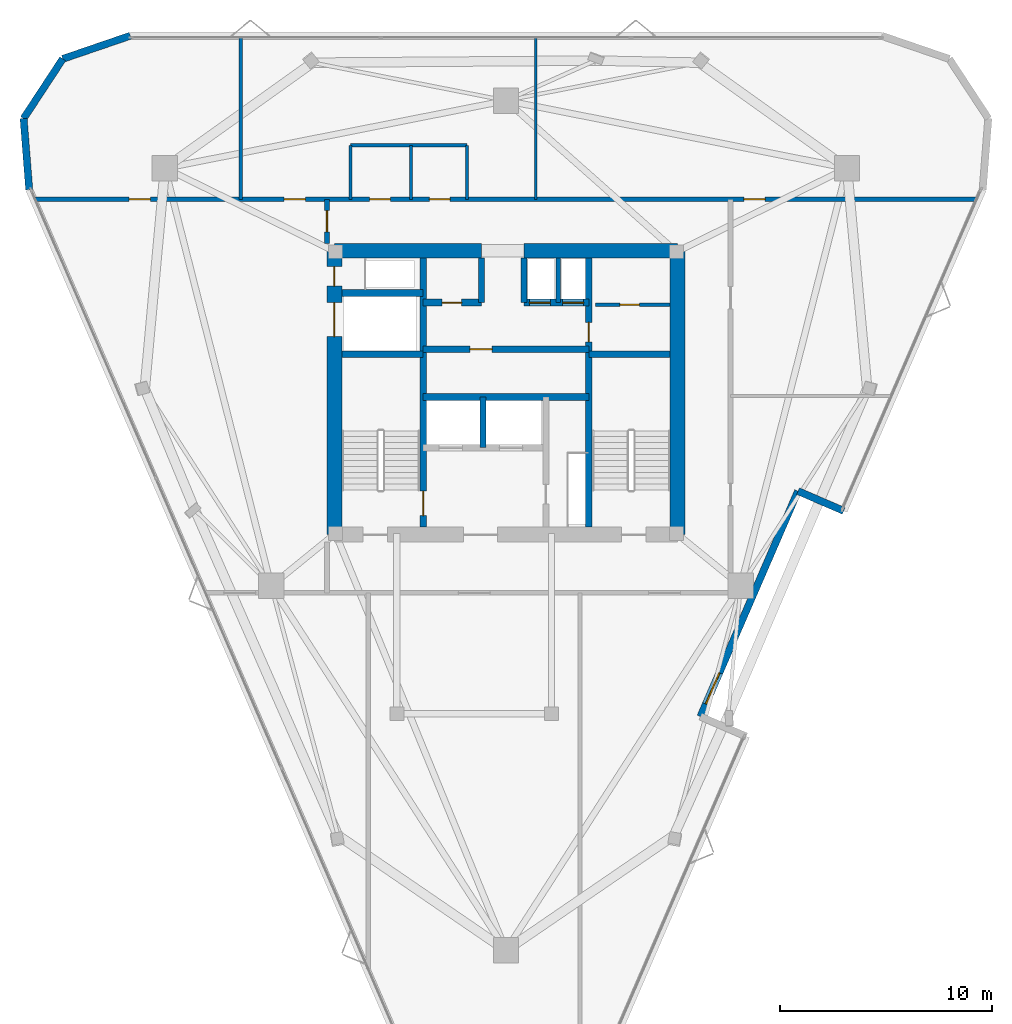
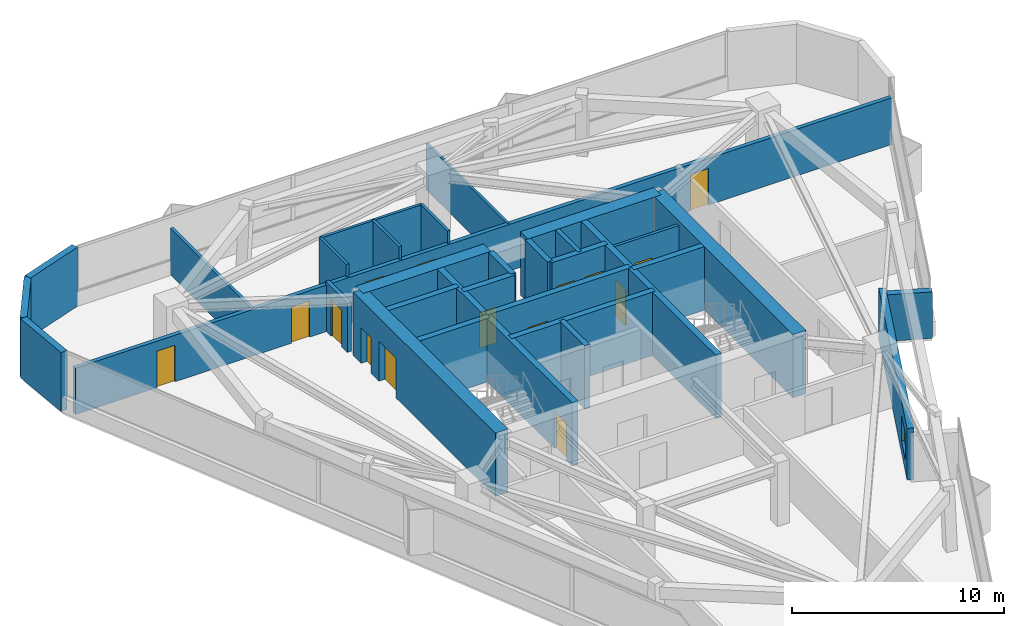
# One storey, part 8 of 10: 31 walls, 15 doors, 1 window, 16 openings.
"""IFC4 building model written with IfcOpenShell, lengths in metres."""

import ifcopenshell
import ifcopenshell.guid

model = None  # the IFC model being written
_history = None  # IfcOwnerHistory: only IFC2X3 demands one
_inside = {}  # id of a spatial element -> (the spatial element, [elements in it])
_under = {}  # id of a project, library or spatial element -> (it, [spatial elements below it])
_declared = {}  # id of a project -> (the project, [libraries it declares])
_typed = {}  # id of a type object -> (the type object, [elements of that type])
_made_of = {}  # id of a material, layer set ... -> (it, [elements and type objects made of it])


def new_model(schema):
    """Start an empty IFC model of exactly this schema.

    Asked for "IFC4X3", IfcOpenShell would pick the latest addendum, in which some entities
    have other attributes; the version numbers below select the first issue.
    IFC2X3 requires an IfcOwnerHistory on every rooted entity: one is made here for all.
    """
    global model, _history
    if schema == "IFC4X3":
        model = ifcopenshell.file(schema_version=(4, 3, 0, 0))
    else:
        model = ifcopenshell.file(schema=schema)
    _inside.clear()
    _under.clear()
    _declared.clear()
    _typed.clear()
    _made_of.clear()
    _history = None
    if model.schema == "IFC2X3":
        org = make("IfcOrganization", Name="unknown")
        user = make(
            "IfcPersonAndOrganization",
            ThePerson=make("IfcPerson", FamilyName="unknown"),
            TheOrganization=org,
        )
        app = make(
            "IfcApplication",
            ApplicationDeveloper=org,
            Version="unknown",
            ApplicationFullName="unknown",
            ApplicationIdentifier="unknown",
        )
        _history = make(
            "IfcOwnerHistory",
            OwningUser=user,
            OwningApplication=app,
            ChangeAction="ADDED",
            CreationDate=0,
        )
    return model


def make(cls, **values):
    """One entity of the class cls with the attributes given. An attribute that is None is left unset."""
    return model.create_entity(
        cls, **{name: value for name, value in values.items() if value is not None}
    )


def rooted(cls, **values):
    """An entity with a GlobalId (a new one), such as an element, a storey or a relation."""
    return make(cls, GlobalId=ifcopenshell.guid.new(), OwnerHistory=_history, **values)


def si_unit(unit_type, name, prefix=None):
    """IfcSIUnit, for example si_unit("LENGTHUNIT", "METRE", prefix="MILLI")."""
    return make("IfcSIUnit", UnitType=unit_type, Prefix=prefix, Name=name)


def assignment(units):
    """IfcUnitAssignment: the units of a project."""
    return None if units is None else make("IfcUnitAssignment", Units=units)


def point(xyz):
    """IfcCartesianPoint."""
    return None if xyz is None else make("IfcCartesianPoint", Coordinates=xyz)


def direction(xyz):
    """IfcDirection."""
    return None if xyz is None else make("IfcDirection", DirectionRatios=xyz)


def frame(location, z_axis=None, x_axis=None):
    """IfcAxis2Placement3D, a coordinate frame: its origin and axes. An axis left out is left unset."""
    return make(
        "IfcAxis2Placement3D",
        Location=point(location),
        Axis=direction(z_axis),
        RefDirection=direction(x_axis),
    )


def frame_2d(location, x_axis=None):
    """IfcAxis2Placement2D, a coordinate frame in the plane: its origin and x axis."""
    return make(
        "IfcAxis2Placement2D", Location=point(location), RefDirection=direction(x_axis)
    )


def origin():
    """The frame at (0, 0, 0) with its axes left unset."""
    return frame((0.0, 0.0, 0.0))


def place(relative_to, where):
    """IfcLocalPlacement: puts the frame where relative to a parent placement (None: the world)."""
    return make(
        "IfcLocalPlacement", PlacementRelTo=relative_to, RelativePlacement=where
    )


def context(
    kind, dimensions, precision=None, world=None, true_north=None, identifier=None
):
    """IfcGeometricRepresentationContext, for example the 3D "Model" context."""
    return make(
        "IfcGeometricRepresentationContext",
        ContextIdentifier=identifier,
        ContextType=kind,
        CoordinateSpaceDimension=dimensions,
        Precision=precision,
        WorldCoordinateSystem=world,
        TrueNorth=true_north,
    )


def subcontext(parent, identifier, kind, view, scale=None):
    """IfcGeometricRepresentationSubContext, for example "Body" below "Model"."""
    return make(
        "IfcGeometricRepresentationSubContext",
        ContextIdentifier=identifier,
        ContextType=kind,
        ParentContext=parent,
        TargetScale=scale,
        TargetView=view,
    )


def project(units=None, contexts=None):
    """IfcProject with its units and contexts."""
    return rooted(
        "IfcProject",
        Name="project",
        RepresentationContexts=contexts,
        UnitsInContext=assignment(units),
    )


def spatial(cls, under=None, at=None, **own):
    """A site, building, storey or space (cls), placed at a placement, below another one or the project."""
    s = rooted(cls, ObjectPlacement=at, **own)
    if under is not None:
        _under.setdefault(under.id(), (under, []))[1].append(s)
    return s


def profile(cls, at=None, kind="AREA", **sizes):
    """A parametric profile (cls). Its sizes go by their IFC names, for example OverallWidth=200.0."""
    return make(cls, ProfileType=kind, Position=at, **sizes)


def rectangle(**sizes):
    """IfcRectangleProfileDef."""
    return profile("IfcRectangleProfileDef", **sizes)


def extrude(swept, where, along, depth):
    """IfcExtrudedAreaSolid: the profile swept, set in the frame where, extruded along a direction by depth."""
    return make(
        "IfcExtrudedAreaSolid",
        SweptArea=swept,
        Position=where,
        ExtrudedDirection=direction(along),
        Depth=depth,
    )


def shape(context_of_items, identifier, shape_type, items):
    """IfcShapeRepresentation: the items that make up one representation, for example the "Body"."""
    return make(
        "IfcShapeRepresentation",
        ContextOfItems=context_of_items,
        RepresentationIdentifier=identifier,
        RepresentationType=shape_type,
        Items=items,
    )


def material(Name=None, Category=None):
    """IfcMaterial."""
    return make("IfcMaterial", Name=Name, Category=Category)


def layer(
    of_material, thickness, ventilated=None, Name=None, Category=None, Priority=None
):
    """IfcMaterialLayer: one layer of a wall or slab, of a material (None: an air gap)."""
    return make(
        "IfcMaterialLayer",
        Material=of_material,
        LayerThickness=thickness,
        IsVentilated=ventilated,
        Name=Name,
        Category=Category,
        Priority=Priority,
    )


def layer_set(layers, Name=None):
    """IfcMaterialLayerSet."""
    return make("IfcMaterialLayerSet", MaterialLayers=layers, LayerSetName=Name)


def made_of(thing, what):
    """Note that an element or type object is made of a material, layer set ...; save() writes the relation."""
    if what is not None:
        _made_of.setdefault(what.id(), (what, []))[1].append(thing)
    return thing


def type_object(cls, material=None, **own):
    """A type object (cls), such as IfcWallType, which elements share."""
    return made_of(rooted(cls, **own), material)


def element(
    cls,
    number,
    at=None,
    inside=None,
    cuts=None,
    type_object=None,
    material=None,
    context=None,
    identifier="Body",
    shape_type=None,
    held_by="IfcProductDefinitionShape",
    body=None,
    shapes=None,
    **own,
):
    """One element of the class cls, such as IfcWall. Its Tag is "e" and its number.

    at: its placement. inside: the storey or other place that contains it. cuts: it is an
    opening in that element (IfcRelVoidsElement). A single representation is given by context,
    identifier, shape_type and body (its items); several are given by shapes. held_by: the class
    of the entity that holds the representations. save() writes the other relations.
    """
    e = rooted(cls, Tag="e%d" % number, ObjectPlacement=at, **own)
    if body is not None:
        shapes = [shape(context, identifier, shape_type, body)]
    if shapes is not None:
        e.Representation = make(held_by, Representations=shapes)
    if inside is not None:
        _inside.setdefault(inside.id(), (inside, []))[1].append(e)
    if cuts is not None:
        rooted(
            "IfcRelVoidsElement", RelatingBuildingElement=cuts, RelatedOpeningElement=e
        )
    if type_object is not None:
        _typed.setdefault(type_object.id(), (type_object, []))[1].append(e)
    return made_of(e, material)


def fill(opening, filler):
    """IfcRelFillsElement: the door or window that sits in an opening."""
    return rooted(
        "IfcRelFillsElement",
        RelatingOpeningElement=opening,
        RelatedBuildingElement=filler,
    )


def aggregate(whole, parts):
    """IfcRelAggregates: a whole, such as a stair, and the parts it consists of."""
    return rooted("IfcRelAggregates", RelatingObject=whole, RelatedObjects=parts)


def save(model, path):
    """Write the relations noted so far, then the file.

    IfcRelAggregates (storeys below a building ...), IfcRelContainedInSpatialStructure (elements
    in a storey), IfcRelDefinesByType, IfcRelAssociatesMaterial and IfcRelDeclares: one each for
    every whole, place, type object, material and project.
    """
    for whole, parts in _under.values():
        aggregate(whole, parts)
    for where, things in _inside.values():
        rooted(
            "IfcRelContainedInSpatialStructure",
            RelatedElements=things,
            RelatingStructure=where,
        )
    for kind, things in _typed.values():
        rooted("IfcRelDefinesByType", RelatedObjects=things, RelatingType=kind)
    for what, things in _made_of.values():
        rooted("IfcRelAssociatesMaterial", RelatedObjects=things, RelatingMaterial=what)
    for by, libraries in _declared.values():
        rooted("IfcRelDeclares", RelatingContext=by, RelatedDefinitions=libraries)
    model.write(path)


model = new_model("IFC4")

# Units and contexts
model_context = context("Model", 3, precision=1e-05, world=origin(), true_north=direction((0.0, 1.0)))
body_context = subcontext(model_context, "Body", "Model", "MODEL_VIEW")
ifc_project = project(units=[si_unit("LENGTHUNIT", "METRE"), si_unit("AREAUNIT", "SQUARE_METRE"), si_unit("VOLUMEUNIT", "CUBIC_METRE"), si_unit("PLANEANGLEUNIT", "RADIAN"), si_unit("MASSUNIT", "GRAM", prefix="KILO")], contexts=[model_context])

# Site, building, storey
site_placement = place(None, origin())
site = spatial("IfcSite", under=ifc_project, at=site_placement, CompositionType="ELEMENT")
building_placement = place(site_placement, origin())
building = spatial("IfcBuilding", under=site, at=building_placement, Name="Talyreon Biosciences Tower", CompositionType="ELEMENT")
storey_placement = place(building_placement, frame((0.0, 0.0, 260.800048828125)))
storey = spatial("IfcBuildingStorey", under=building, at=storey_placement, Name="L69", CompositionType="ELEMENT", Elevation=260.800048828125)

# Walls
ifc_material_1 = material(Name="Concrete C50/60", Category="concrete")
ifc_layer_1 = layer(ifc_material_1, 0.219970703125)
ifc_layer_set_1 = layer_set([ifc_layer_1], Name="Concrete C50/60")
wall_type_1 = type_object("IfcWallType", Name="CoreShearWall_220", PredefinedType="SHEAR", material=ifc_layer_set_1)
wall_1_placement = place(storey_placement, frame((68.4599609375, 72.25, 0.0), z_axis=(0.0, 0.0, 1.0), x_axis=(0.0, 1.0, 0.0)))
element("IfcWall", 1, at=wall_1_placement, inside=storey, type_object=wall_type_1, Name="L69 Core Shaft Wall SWPHD", PredefinedType="SHEAR", context=body_context, shape_type="SweptSolid", body=[
    extrude(rectangle(XDim=2.10009765625, YDim=0.219970703125, at=frame_2d((1.050048828125, 0.0))), origin(), (0.0, 0.0, 1.0), 3.64990234375),
])
ifc_layer_2 = layer(ifc_material_1, 0.280029296875)
ifc_layer_set_2 = layer_set([ifc_layer_2], Name="Concrete C50/60")
wall_type_2 = type_object("IfcWallType", Name="CoreShearWall_280", PredefinedType="SHEAR", material=ifc_layer_set_2)
wall_2_placement = place(storey_placement, frame((64.919921875, 65.39990234375, 0.0), z_axis=(0.0, 0.0, 1.0), x_axis=(0.0, 1.0, 0.0)))
element("IfcWall", 2, at=wall_2_placement, inside=storey, type_object=wall_type_2, Name="L69 Core Shaft Wall SWSHD1", PredefinedType="SHEAR", context=body_context, shape_type="SweptSolid", body=[
    extrude(rectangle(XDim=2.400146484375, YDim=0.280029296875, at=frame_2d((1.2001953125, 0.0))), origin(), (0.0, 0.0, 1.0), 3.64990234375),
])
for number, where, z_axis, x_axis, name in (
    (3, (64.85009765625, 72.25, 0.0), (0.0, 0.0, 1.0), (0.0, 1.0, 0.0), "L69 Core Shaft Wall SWTHW"),
    (4, (66.85009765625, 72.25, 0.0), (0.0, 0.0, 1.0), (0.0, 1.0, 0.0), "L69 Core Shaft Wall SWTHE"),
):
    element("IfcWall", number, at=place(storey_placement, frame(where, z_axis=z_axis, x_axis=x_axis)), inside=storey, type_object=wall_type_2, Name=name, PredefinedType="SHEAR", context=body_context, shape_type="SweptSolid", body=[
        extrude(rectangle(XDim=2.10009765625, YDim=0.280029296875, at=frame_2d((1.050048828125, 0.0))), origin(), (0.0, 0.0, 1.0), 3.64990234375),
    ])

# Wall, opening, door
ifc_layer_3 = layer(ifc_material_1, 0.320068359375)
ifc_layer_set_3 = layer_set([ifc_layer_3], Name="Concrete C50/60")
wall_type_3 = type_object("IfcWallType", Name="CoreShearWall_320", PredefinedType="SHEAR", material=ifc_layer_set_3)
wall_3_placement = place(storey_placement, frame((62.090087890625, 61.64990234375, 0.0), z_axis=(0.0, 0.0, 1.0), x_axis=(0.0, 1.0, 0.0)))
wall_3 = element("IfcWall", 5, at=wall_3_placement, inside=storey, type_object=wall_type_3, Name="L69 Core Shaft Wall SW1E", PredefinedType="SHEAR", context=body_context, shape_type="SweptSolid", body=[
    extrude(rectangle(XDim=12.7001953125, YDim=0.320068359375, at=frame_2d((6.35009765625, 0.0))), origin(), (0.0, 0.0, 1.0), 3.64990234375),
])
opening_1_placement = place(wall_3_placement, frame((0.550048828125, 0.0, 0.0)))
opening_1 = element("IfcOpeningElement", 6, at=opening_1_placement, cuts=wall_3, Name="Opening DR-L69-FF-ST1", PredefinedType="OPENING", context=body_context, shape_type="SweptSolid", body=[
    extrude(rectangle(XDim=1.14990234375, YDim=2.14990234375, at=frame_2d((0.574951171875, 1.074951171875))), frame((0.0, 0.169921875, 0.0), z_axis=(0.0, -1.0, 0.0), x_axis=(1.0, 0.0, 0.0)), (0.0, 0.0, 1.0), 0.340087890625),
])
ifc_material_2 = material(Name="Painted steel fire door", Category="steel")
door_type_1 = type_object("IfcDoorType", Name="StairShaftFireDoor_1150x2150", OperationType="NOTDEFINED", PredefinedType="DOOR", material=ifc_material_2)
door_1_placement = place(opening_1_placement, origin())
door_1 = element("IfcDoor", 7, at=door_1_placement, inside=storey, type_object=door_type_1, Name="L69 Core Door DR-L69-FF-ST1", OperationType="SINGLE_SWING_LEFT", OverallHeight=2.14990234375, OverallWidth=1.14990234375, PredefinedType="DOOR", context=body_context, shape_type="SweptSolid", body=[
    extrude(rectangle(XDim=1.14990234375, YDim=2.14990234375, at=frame_2d((0.574951171875, 1.074951171875))), frame((0.0, 0.02490234375, 0.0), z_axis=(0.0, -1.0, 0.0), x_axis=(1.0, 0.0, 0.0)), (0.0, 0.0, 1.0), 0.050048828125),
])
fill(opening_1, door_1)

wall_4_placement = place(storey_placement, frame((69.909912109375, 61.64990234375, 0.0), z_axis=(0.0, 0.0, 1.0), x_axis=(0.0, 1.0, 0.0)))
wall_4 = element("IfcWall", 8, at=wall_4_placement, inside=storey, type_object=wall_type_3, Name="L69 Core Shaft Wall SW2W", PredefinedType="SHEAR", context=body_context, shape_type="SweptSolid", body=[
    extrude(rectangle(XDim=12.7001953125, YDim=0.320068359375, at=frame_2d((6.35009765625, 0.0))), origin(), (0.0, 0.0, 1.0), 3.64990234375),
])
opening_2_placement = place(wall_4_placement, frame((8.75, 0.0, 0.0)))
opening_2 = element("IfcOpeningElement", 9, at=opening_2_placement, cuts=wall_4, Name="Opening DR-L69-CSRV", PredefinedType="OPENING", context=body_context, shape_type="SweptSolid", body=[
    extrude(rectangle(XDim=0.919921875, YDim=2.050048828125, at=frame_2d((0.4599609375, 1.02490234375))), frame((0.0, 0.169921875, 0.0), z_axis=(0.0, -1.0, 0.0), x_axis=(1.0, 0.0, 0.0)), (0.0, 0.0, 1.0), 0.340087890625),
])
ifc_material_3 = material(Name="Painted steel fire-rated riser door", Category="steel")
door_type_2 = type_object("IfcDoorType", Name="RiserPlantAccessDoor_920x2050", OperationType="NOTDEFINED", PredefinedType="DOOR", material=ifc_material_3)
door_2_placement = place(opening_2_placement, origin())
door_2 = element("IfcDoor", 10, at=door_2_placement, inside=storey, type_object=door_type_2, Name="L69 Core Door DR-L69-CSRV", OperationType="SINGLE_SWING_RIGHT", OverallHeight=2.050048828125, OverallWidth=0.919921875, PredefinedType="DOOR", context=body_context, shape_type="SweptSolid", body=[
    extrude(rectangle(XDim=0.919921875, YDim=2.050048828125, at=frame_2d((0.4599609375, 1.02490234375))), frame((0.0, 0.02490234375, 0.0), z_axis=(0.0, -1.0, 0.0), x_axis=(1.0, 0.0, 0.0)), (0.0, 0.0, 1.0), 0.050048828125),
])
fill(opening_2, door_2)

# Walls
for number, where, z_axis, x_axis, name in (
    (11, (58.25, 69.81005859375, 0.0), (0.0, 0.0, 1.0), (1.0, 0.0, 0.0), "L69 Core Shaft Wall SW1N"),
    (12, (69.909912109375, 69.81005859375, 0.0), (0.0, 0.0, 1.0), (1.0, 0.0, 0.0), "L69 Core Shaft Wall SW2N"),
    (13, (58.25, 72.699951171875, 0.0), (0.0, 0.0, 1.0), (1.0, 0.0, 0.0), "L69 Core Shaft Wall SWGLN"),
):
    element("IfcWall", number, at=place(storey_placement, frame(where, z_axis=z_axis, x_axis=x_axis)), inside=storey, type_object=wall_type_3, Name=name, PredefinedType="SHEAR", context=body_context, shape_type="SweptSolid", body=[
        extrude(rectangle(XDim=3.840087890625, YDim=0.320068359375, at=frame_2d((1.919921875, 0.0))), origin(), (0.0, 0.0, 1.0), 3.64990234375),
    ])
wall_5_placement = place(storey_placement, frame((62.090087890625, 67.800048828125, 0.0), z_axis=(0.0, 0.0, 1.0), x_axis=(1.0, 0.0, 0.0)))
element("IfcWall", 14, at=wall_5_placement, inside=storey, type_object=wall_type_3, Name="L69 Core Shaft Wall SWSHM", PredefinedType="SHEAR", context=body_context, shape_type="SweptSolid", body=[
    extrude(rectangle(XDim=7.81982421875, YDim=0.320068359375, at=frame_2d((3.909912109375, 0.0))), origin(), (0.0, 0.0, 1.0), 3.64990234375),
])

# Wall, opening, door
wall_6_placement = place(storey_placement, frame((62.090087890625, 70.050048828125, 0.0), z_axis=(0.0, 0.0, 1.0), x_axis=(1.0, 0.0, 0.0)))
wall_6 = element("IfcWall", 15, at=wall_6_placement, inside=storey, type_object=wall_type_3, Name="L69 Core Shaft Wall SWSPN", PredefinedType="SHEAR", context=body_context, shape_type="SweptSolid", body=[
    extrude(rectangle(XDim=7.81982421875, YDim=0.320068359375, at=frame_2d((3.909912109375, 0.0))), origin(), (0.0, 0.0, 1.0), 3.64990234375),
])
opening_3_placement = place(wall_6_placement, frame((2.199951171875, 0.0, 0.0)))
opening_3 = element("IfcOpeningElement", 16, at=opening_3_placement, cuts=wall_6, Name="Opening DR-L69-PLPMFREE", PredefinedType="OPENING", context=body_context, shape_type="SweptSolid", body=[
    extrude(rectangle(XDim=1.050048828125, YDim=2.14990234375, at=frame_2d((0.52490234375, 1.074951171875))), frame((0.0, 0.169921875, 0.0), z_axis=(0.0, -1.0, 0.0), x_axis=(1.0, 0.0, 0.0)), (0.0, 0.0, 1.0), 0.340087890625),
])
ifc_material_4 = material(Name="Acoustic timber-core laboratory door", Category="wood")
door_type_3 = type_object("IfcDoorType", Name="DryLabSingleDoor_1050x2150", OperationType="NOTDEFINED", PredefinedType="DOOR", material=ifc_material_4)
door_3_placement = place(opening_3_placement, origin())
door_3 = element("IfcDoor", 17, at=door_3_placement, inside=storey, type_object=door_type_3, Name="L69 Core Door DR-L69-PLPMFREE", OperationType="SINGLE_SWING_LEFT", OverallHeight=2.14990234375, OverallWidth=1.050048828125, PredefinedType="DOOR", context=body_context, shape_type="SweptSolid", body=[
    extrude(rectangle(XDim=1.050048828125, YDim=2.14990234375, at=frame_2d((0.52490234375, 1.074951171875))), frame((0.0, 0.02490234375, 0.0), z_axis=(0.0, -1.0, 0.0), x_axis=(1.0, 0.0, 0.0)), (0.0, 0.0, 1.0), 0.050048828125),
])
fill(opening_3, door_3)

wall_7_placement = place(storey_placement, frame((62.090087890625, 72.25, 0.0), z_axis=(0.0, 0.0, 1.0), x_axis=(1.0, 0.0, 0.0)))
wall_7 = element("IfcWall", 18, at=wall_7_placement, inside=storey, type_object=wall_type_3, Name="L69 Core Shaft Wall SWNPW", PredefinedType="SHEAR", context=body_context, shape_type="SweptSolid", body=[
    extrude(rectangle(XDim=2.760009765625, YDim=0.320068359375, at=frame_2d((1.3798828125, 0.0))), origin(), (0.0, 0.0, 1.0), 3.64990234375),
])
opening_4_placement = place(wall_7_placement, frame((0.89990234375, 0.0, 0.0)))
opening_4 = element("IfcOpeningElement", 19, at=opening_4_placement, cuts=wall_7, Name="Opening DR-L69-PM2FREE", PredefinedType="OPENING", context=body_context, shape_type="SweptSolid", body=[
    extrude(rectangle(XDim=0.919921875, YDim=2.050048828125, at=frame_2d((0.4599609375, 1.02490234375))), frame((0.0, 0.169921875, 0.0), z_axis=(0.0, -1.0, 0.0), x_axis=(1.0, 0.0, 0.0)), (0.0, 0.0, 1.0), 0.340087890625),
])
door_4_placement = place(opening_4_placement, origin())
door_4 = element("IfcDoor", 20, at=door_4_placement, inside=storey, type_object=door_type_2, Name="L69 Core Door DR-L69-PM2FREE", OperationType="SINGLE_SWING_RIGHT", OverallHeight=2.050048828125, OverallWidth=0.919921875, PredefinedType="DOOR", context=body_context, shape_type="SweptSolid", body=[
    extrude(rectangle(XDim=0.919921875, YDim=2.050048828125, at=frame_2d((0.4599609375, 1.02490234375))), frame((0.0, 0.02490234375, 0.0), z_axis=(0.0, -1.0, 0.0), x_axis=(1.0, 0.0, 0.0)), (0.0, 0.0, 1.0), 0.050048828125),
])
fill(opening_4, door_4)

# Wall, openings, doors
wall_8_placement = place(storey_placement, frame((66.85009765625, 72.25, 0.0), z_axis=(0.0, 0.0, 1.0), x_axis=(1.0, 0.0, 0.0)))
wall_8 = element("IfcWall", 21, at=wall_8_placement, inside=storey, type_object=wall_type_3, Name="L69 Core Shaft Wall SWNPE", PredefinedType="SHEAR", context=body_context, shape_type="SweptSolid", body=[
    extrude(rectangle(XDim=3.059814453125, YDim=0.320068359375, at=frame_2d((1.52978515625, 0.0))), origin(), (0.0, 0.0, 1.0), 3.64990234375),
])
opening_5_placement = place(wall_8_placement, frame((0.25, 0.0, 0.0)))
opening_5 = element("IfcOpeningElement", 22, at=opening_5_placement, cuts=wall_8, Name="Opening LD-L69-PH1", PredefinedType="OPENING", context=body_context, shape_type="SweptSolid", body=[
    extrude(rectangle(XDim=1.0, YDim=2.199951171875, at=frame_2d((0.5, 1.10009765625))), frame((0.0, 0.169921875, 0.0), z_axis=(0.0, -1.0, 0.0), x_axis=(1.0, 0.0, 0.0)), (0.0, 0.0, 1.0), 0.340087890625),
])
opening_6_placement = place(wall_8_placement, frame((1.820068359375, 0.0, 0.0)))
opening_6 = element("IfcOpeningElement", 23, at=opening_6_placement, cuts=wall_8, Name="Opening LD-L69-PH2", PredefinedType="OPENING", context=body_context, shape_type="SweptSolid", body=[
    extrude(rectangle(XDim=1.0, YDim=2.199951171875, at=frame_2d((0.5, 1.10009765625))), frame((0.0, 0.169921875, 0.0), z_axis=(0.0, -1.0, 0.0), x_axis=(1.0, 0.0, 0.0)), (0.0, 0.0, 1.0), 0.340087890625),
])
ifc_material_5 = material(Name="Brushed stainless-steel lift landing door", Category="steel")
door_type_4 = type_object("IfcDoorType", Name="LiftSlidingLandingDoor_1100x2200", OperationType="SLIDING_TO_LEFT", PredefinedType="DOOR", material=ifc_material_5)
door_5_placement = place(opening_5_placement, origin())
door_5 = element("IfcDoor", 24, at=door_5_placement, inside=storey, type_object=door_type_4, Name="L69 Core Door LD-L69-PH1", OperationType="SLIDING_TO_LEFT", OverallHeight=2.199951171875, OverallWidth=1.0, PredefinedType="DOOR", context=body_context, shape_type="SweptSolid", body=[
    extrude(rectangle(XDim=1.0, YDim=2.199951171875, at=frame_2d((0.5, 1.10009765625))), frame((0.0, 0.02490234375, 0.0), z_axis=(0.0, -1.0, 0.0), x_axis=(1.0, 0.0, 0.0)), (0.0, 0.0, 1.0), 0.050048828125),
])
fill(opening_5, door_5)
door_6_placement = place(opening_6_placement, origin())
door_6 = element("IfcDoor", 25, at=door_6_placement, inside=storey, type_object=door_type_4, Name="L69 Core Door LD-L69-PH2", OperationType="SLIDING_TO_LEFT", OverallHeight=2.199951171875, OverallWidth=1.0, PredefinedType="DOOR", context=body_context, shape_type="SweptSolid", body=[
    extrude(rectangle(XDim=1.0, YDim=2.199951171875, at=frame_2d((0.5, 1.10009765625))), frame((0.0, 0.02490234375, 0.0), z_axis=(0.0, -1.0, 0.0), x_axis=(1.0, 0.0, 0.0)), (0.0, 0.0, 1.0), 0.050048828125),
])
fill(opening_6, door_6)

# Walls
ifc_layer_4 = layer(ifc_material_1, 0.699951171875)
ifc_layer_set_4 = layer_set([ifc_layer_4], Name="Concrete C50/60")
wall_type_4 = type_object("IfcWallType", Name="CoreShearWall_700", PredefinedType="SHEAR", material=ifc_layer_set_4)
wall_9_placement = place(storey_placement, frame((74.10009765625, 61.300048828125, 0.0), z_axis=(0.0, 0.0, 1.0), x_axis=(0.0, 1.0, 0.0)))
element("IfcWall", 26, at=wall_9_placement, inside=storey, type_object=wall_type_4, Name="L69 Core Shear Wall E", PredefinedType="SHEAR", context=body_context, shape_type="SweptSolid", body=[
    extrude(rectangle(XDim=13.39990234375, YDim=0.699951171875, at=frame_2d((6.699951171875, 0.0))), origin(), (0.0, 0.0, 1.0), 3.64990234375),
])
wall_10_placement = place(storey_placement, frame((74.10009765625, 74.699951171875, 0.0), z_axis=(0.0, 0.0, 1.0), x_axis=(-1.0, 0.0, 0.0)))
element("IfcWall", 27, at=wall_10_placement, inside=storey, type_object=wall_type_4, Name="L69 Core Shear Wall NE", PredefinedType="SHEAR", context=body_context, shape_type="SweptSolid", body=[
    extrude(rectangle(XDim=7.25, YDim=0.699951171875, at=frame_2d((3.625, 0.0))), origin(), (0.0, 0.0, 1.0), 3.64990234375),
])
wall_11_placement = place(storey_placement, frame((64.85009765625, 74.699951171875, 0.0), z_axis=(0.0, 0.0, 1.0), x_axis=(-1.0, 0.0, 0.0)))
element("IfcWall", 28, at=wall_11_placement, inside=storey, type_object=wall_type_4, Name="L69 Core Shear Wall NW", PredefinedType="SHEAR", context=body_context, shape_type="SweptSolid", body=[
    extrude(rectangle(XDim=6.9501953125, YDim=0.699951171875, at=frame_2d((3.47509765625, 0.0))), origin(), (0.0, 0.0, 1.0), 3.64990234375),
])

# Wall, openings, doors
wall_12_placement = place(storey_placement, frame((57.89990234375, 74.699951171875, 0.0), z_axis=(0.0, 0.0, 1.0), x_axis=(0.0, -1.0, 0.0)))
wall_12 = element("IfcWall", 29, at=wall_12_placement, inside=storey, type_object=wall_type_4, Name="L69 Core Shear Wall W", PredefinedType="SHEAR", context=body_context, shape_type="SweptSolid", body=[
    extrude(rectangle(XDim=13.39990234375, YDim=0.699951171875, at=frame_2d((6.699951171875, 0.0))), origin(), (0.0, 0.0, 1.0), 3.64990234375),
])
opening_7_placement = place(wall_12_placement, frame((0.75, 0.0, 0.0)))
opening_7 = element("IfcOpeningElement", 30, at=opening_7_placement, cuts=wall_12, Name="Opening DR-L69-RSW", PredefinedType="OPENING", context=body_context, shape_type="SweptSolid", body=[
    extrude(rectangle(XDim=0.919921875, YDim=2.050048828125, at=frame_2d((0.4599609375, 1.02490234375))), frame((0.0, 0.35986328125, 0.0), z_axis=(0.0, -1.0, 0.0), x_axis=(1.0, 0.0, 0.0)), (0.0, 0.0, 1.0), 0.719970703125),
])
opening_8_placement = place(wall_12_placement, frame((2.449951171875, 0.0, 0.0)))
opening_8 = element("IfcOpeningElement", 31, at=opening_8_placement, cuts=wall_12, Name="Opening LD-L69-GL1", PredefinedType="OPENING", context=body_context, shape_type="SweptSolid", body=[
    extrude(rectangle(XDim=1.60009765625, YDim=2.300048828125, at=frame_2d((0.800048828125, 1.14990234375))), frame((0.0, 0.35986328125, 0.0), z_axis=(0.0, -1.0, 0.0), x_axis=(1.0, 0.0, 0.0)), (0.0, 0.0, 1.0), 0.719970703125),
])
ifc_material_6 = material(Name="Heavy-duty stainless-steel goods lift door", Category="steel")
door_type_5 = type_object("IfcDoorType", Name="GoodsLiftSlidingDoor_1600x2300", OperationType="DOUBLE_DOOR_SLIDING", PredefinedType="DOOR", material=ifc_material_6)
door_7_placement = place(opening_8_placement, origin())
door_7 = element("IfcDoor", 32, at=door_7_placement, inside=storey, type_object=door_type_5, Name="L69 Core Door LD-L69-GL1", OperationType="DOUBLE_DOOR_SLIDING", OverallHeight=2.300048828125, OverallWidth=1.60009765625, PredefinedType="DOOR", context=body_context, shape_type="SweptSolid", body=[
    extrude(rectangle(XDim=1.60009765625, YDim=2.300048828125, at=frame_2d((0.800048828125, 1.14990234375))), frame((0.0, 0.02490234375, 0.0), z_axis=(0.0, -1.0, 0.0), x_axis=(1.0, 0.0, 0.0)), (0.0, 0.0, 1.0), 0.050048828125),
])
fill(opening_8, door_7)
door_8_placement = place(opening_7_placement, origin())
door_8 = element("IfcDoor", 33, at=door_8_placement, inside=storey, type_object=door_type_2, Name="L69 Core Door DR-L69-RSW", OperationType="SINGLE_SWING_LEFT", OverallHeight=2.050048828125, OverallWidth=0.919921875, PredefinedType="DOOR", context=body_context, shape_type="SweptSolid", body=[
    extrude(rectangle(XDim=0.919921875, YDim=2.050048828125, at=frame_2d((0.4599609375, 1.02490234375))), frame((0.0, 0.02490234375, 0.0), z_axis=(0.0, -1.0, 0.0), x_axis=(1.0, 0.0, 0.0)), (0.0, 0.0, 1.0), 0.050048828125),
])
fill(opening_7, door_8)

ifc_material_7 = material(Name="Gypsum fireboard acoustic stud", Category="gypsum")
ifc_layer_5 = layer(ifc_material_7, 0.219970703125)
ifc_layer_set_5 = layer_set([ifc_layer_5], Name="Gypsum fireboard acoustic stud")
wall_type_5 = type_object("IfcWallType", Name="CorridorRatedPartition_220", PredefinedType="PARTITIONING", material=ifc_layer_set_5)
wall_13_placement = place(storey_placement, frame((43.779052734375, 77.1298828125, 0.0), z_axis=(0.0, 0.0, 1.0), x_axis=(1.0, 0.0, 0.0)))
wall_13 = element("IfcWall", 34, at=wall_13_placement, inside=storey, type_object=wall_type_5, Name="L69 Interior Wall IW-L69-COR-N", PredefinedType="PARTITIONING", context=body_context, shape_type="SweptSolid", body=[
    extrude(rectangle(XDim=44.44189453125, YDim=0.219970703125, at=frame_2d((22.220947265625, 0.0))), origin(), (0.0, 0.0, 1.0), 2.679931640625),
])
opening_9_placement = place(wall_13_placement, frame((15.781005859375, 0.0, 0.0)))
opening_9 = element("IfcOpeningElement", 35, at=opening_9_placement, cuts=wall_13, Name="Opening DR-L69-WC", PredefinedType="OPENING", context=body_context, shape_type="SweptSolid", body=[
    extrude(rectangle(XDim=0.97998046875, YDim=2.10009765625, at=frame_2d((0.489990234375, 1.050048828125))), frame((0.0, 0.119873046875, 0.0), z_axis=(0.0, -1.0, 0.0), x_axis=(1.0, 0.0, 0.0)), (0.0, 0.0, 1.0), 0.239990234375),
])
opening_10_placement = place(wall_13_placement, frame((18.60595703125, 0.0, 0.0)))
opening_10 = element("IfcOpeningElement", 36, at=opening_10_placement, cuts=wall_13, Name="Opening DR-L69-AWC", PredefinedType="OPENING", context=body_context, shape_type="SweptSolid", body=[
    extrude(rectangle(XDim=0.97998046875, YDim=2.10009765625, at=frame_2d((0.489990234375, 1.050048828125))), frame((0.0, 0.119873046875, 0.0), z_axis=(0.0, -1.0, 0.0), x_axis=(1.0, 0.0, 0.0)), (0.0, 0.0, 1.0), 0.239990234375),
])
opening_11_placement = place(wall_13_placement, frame((4.427001953125, 0.0, 0.0)))
opening_11 = element("IfcOpeningElement", 37, at=opening_11_placement, cuts=wall_13, Name="Opening DR-L69-N1A", PredefinedType="OPENING", context=body_context, shape_type="SweptSolid", body=[
    extrude(rectangle(XDim=1.0, YDim=2.10009765625, at=frame_2d((0.5, 1.050048828125))), frame((0.0, 0.119873046875, 0.0), z_axis=(0.0, -1.0, 0.0), x_axis=(1.0, 0.0, 0.0)), (0.0, 0.0, 1.0), 0.239990234375),
])
opening_12_placement = place(wall_13_placement, frame((11.748046875, 0.0, 0.0)))
opening_12 = element("IfcOpeningElement", 38, at=opening_12_placement, cuts=wall_13, Name="Opening DR-L69-N2A", PredefinedType="OPENING", context=body_context, shape_type="SweptSolid", body=[
    extrude(rectangle(XDim=1.0, YDim=2.10009765625, at=frame_2d((0.5, 1.050048828125))), frame((0.0, 0.119873046875, 0.0), z_axis=(0.0, -1.0, 0.0), x_axis=(1.0, 0.0, 0.0)), (0.0, 0.0, 1.0), 0.239990234375),
])
opening_13_placement = place(wall_13_placement, frame((33.4560546875, 0.0, 0.0)))
opening_13 = element("IfcOpeningElement", 39, at=opening_13_placement, cuts=wall_13, Name="Opening DR-L69-N3A", PredefinedType="OPENING", context=body_context, shape_type="SweptSolid", body=[
    extrude(rectangle(XDim=1.0, YDim=2.10009765625, at=frame_2d((0.5, 1.050048828125))), frame((0.0, 0.119873046875, 0.0), z_axis=(0.0, -1.0, 0.0), x_axis=(1.0, 0.0, 0.0)), (0.0, 0.0, 1.0), 0.239990234375),
])
ifc_material_8 = material(Name="Laminate moisture-resistant door", Category="wood")
door_type_6 = type_object("IfcDoorType", Name="AccessibleToiletDoor_980x2100", OperationType="NOTDEFINED", PredefinedType="DOOR", material=ifc_material_8)
door_9_placement = place(opening_9_placement, origin())
door_9 = element("IfcDoor", 40, at=door_9_placement, inside=storey, type_object=door_type_6, Name="L69 Interior Door DR-L69-WC", OperationType="SINGLE_SWING_RIGHT", OverallHeight=2.10009765625, OverallWidth=0.97998046875, PredefinedType="DOOR", context=body_context, shape_type="SweptSolid", body=[
    extrude(rectangle(XDim=0.97998046875, YDim=2.10009765625, at=frame_2d((0.489990234375, 1.050048828125))), frame((0.0, 0.02490234375, 0.0), z_axis=(0.0, -1.0, 0.0), x_axis=(1.0, 0.0, 0.0)), (0.0, 0.0, 1.0), 0.050048828125),
])
fill(opening_9, door_9)
door_10_placement = place(opening_10_placement, origin())
door_10 = element("IfcDoor", 41, at=door_10_placement, inside=storey, type_object=door_type_6, Name="L69 Interior Door DR-L69-AWC", OperationType="SINGLE_SWING_RIGHT", OverallHeight=2.10009765625, OverallWidth=0.97998046875, PredefinedType="DOOR", context=body_context, shape_type="SweptSolid", body=[
    extrude(rectangle(XDim=0.97998046875, YDim=2.10009765625, at=frame_2d((0.489990234375, 1.050048828125))), frame((0.0, 0.02490234375, 0.0), z_axis=(0.0, -1.0, 0.0), x_axis=(1.0, 0.0, 0.0)), (0.0, 0.0, 1.0), 0.050048828125),
])
fill(opening_10, door_10)
ifc_material_9 = material(Name="Acoustic oak veneer office door", Category="wood")
door_type_7 = type_object("IfcDoorType", Name="WriteupOfficeDoor_1000x2100", OperationType="NOTDEFINED", PredefinedType="DOOR", material=ifc_material_9)
door_11_placement = place(opening_11_placement, origin())
door_11 = element("IfcDoor", 42, at=door_11_placement, inside=storey, type_object=door_type_7, Name="L69 Interior Door DR-L69-N1A", OperationType="SINGLE_SWING_RIGHT", OverallHeight=2.10009765625, OverallWidth=1.0, PredefinedType="DOOR", context=body_context, shape_type="SweptSolid", body=[
    extrude(rectangle(XDim=1.0, YDim=2.10009765625, at=frame_2d((0.5, 1.050048828125))), frame((0.0, 0.02490234375, 0.0), z_axis=(0.0, -1.0, 0.0), x_axis=(1.0, 0.0, 0.0)), (0.0, 0.0, 1.0), 0.050048828125),
])
fill(opening_11, door_11)
door_12_placement = place(opening_12_placement, origin())
door_12 = element("IfcDoor", 43, at=door_12_placement, inside=storey, type_object=door_type_7, Name="L69 Interior Door DR-L69-N2A", OperationType="SINGLE_SWING_RIGHT", OverallHeight=2.10009765625, OverallWidth=1.0, PredefinedType="DOOR", context=body_context, shape_type="SweptSolid", body=[
    extrude(rectangle(XDim=1.0, YDim=2.10009765625, at=frame_2d((0.5, 1.050048828125))), frame((0.0, 0.02490234375, 0.0), z_axis=(0.0, -1.0, 0.0), x_axis=(1.0, 0.0, 0.0)), (0.0, 0.0, 1.0), 0.050048828125),
])
fill(opening_12, door_12)
door_13_placement = place(opening_13_placement, origin())
door_13 = element("IfcDoor", 44, at=door_13_placement, inside=storey, type_object=door_type_7, Name="L69 Interior Door DR-L69-N3A", OperationType="SINGLE_SWING_RIGHT", OverallHeight=2.10009765625, OverallWidth=1.0, PredefinedType="DOOR", context=body_context, shape_type="SweptSolid", body=[
    extrude(rectangle(XDim=1.0, YDim=2.10009765625, at=frame_2d((0.5, 1.050048828125))), frame((0.0, 0.02490234375, 0.0), z_axis=(0.0, -1.0, 0.0), x_axis=(1.0, 0.0, 0.0)), (0.0, 0.0, 1.0), 0.050048828125),
])
fill(opening_13, door_13)

# Wall, opening, door
wall_14_placement = place(storey_placement, frame((57.550048828125, 75.050048828125, 0.0), z_axis=(0.0, 0.0, 1.0), x_axis=(0.0, 1.0, 0.0)))
wall_14 = element("IfcWall", 45, at=wall_14_placement, inside=storey, type_object=wall_type_5, Name="L69 Interior Wall IW-L69-WCAP-N", PredefinedType="PARTITIONING", context=body_context, shape_type="SweptSolid", body=[
    extrude(rectangle(XDim=2.079833984375, YDim=0.219970703125, at=frame_2d((1.0400390625, 0.0))), origin(), (0.0, 0.0, 1.0), 2.829833984375),
])
opening_14_placement = place(wall_14_placement, frame((0.5400390625, 0.0, 0.0)))
opening_14 = element("IfcOpeningElement", 46, at=opening_14_placement, cuts=wall_14, Name="Opening DR-L69-W1A", PredefinedType="OPENING", context=body_context, shape_type="SweptSolid", body=[
    extrude(rectangle(XDim=1.0, YDim=2.10009765625, at=frame_2d((0.5, 1.050048828125))), frame((0.0, 0.119873046875, 0.0), z_axis=(0.0, -1.0, 0.0), x_axis=(1.0, 0.0, 0.0)), (0.0, 0.0, 1.0), 0.239990234375),
])
door_14_placement = place(opening_14_placement, origin())
door_14 = element("IfcDoor", 47, at=door_14_placement, inside=storey, type_object=door_type_7, Name="L69 Interior Door DR-L69-W1A", OperationType="SINGLE_SWING_LEFT", OverallHeight=2.10009765625, OverallWidth=1.0, PredefinedType="DOOR", context=body_context, shape_type="SweptSolid", body=[
    extrude(rectangle(XDim=1.0, YDim=2.10009765625, at=frame_2d((0.5, 1.050048828125))), frame((0.0, 0.02490234375, 0.0), z_axis=(0.0, -1.0, 0.0), x_axis=(1.0, 0.0, 0.0)), (0.0, 0.0, 1.0), 0.050048828125),
])
fill(opening_14, door_14)

ifc_material_10 = material(Name="Gypsum acoustic stud partition", Category="gypsum")
ifc_layer_6 = layer(ifc_material_10, 0.159912109375)
ifc_layer_set_6 = layer_set([ifc_layer_6], Name="Gypsum acoustic stud partition")
wall_type_6 = type_object("IfcWallType", Name="LabSeparationPartition_160", PredefinedType="PARTITIONING", material=ifc_layer_set_6)
wall_15_placement = place(storey_placement, frame((70.22998046875, 72.14990234375, 0.0), z_axis=(0.0, 0.0, 1.0), x_axis=(1.0, 0.0, 0.0)))
wall_15 = element("IfcWall", 48, at=wall_15_placement, inside=storey, type_object=wall_type_6, Name="L69 Interior Wall IW-L69-CSRV-H", PredefinedType="PARTITIONING", context=body_context, shape_type="SweptSolid", body=[
    extrude(rectangle(XDim=3.52001953125, YDim=0.159912109375, at=frame_2d((1.760009765625, 0.0))), origin(), (0.0, 0.0, 1.0), 3.39990234375),
])
opening_15_placement = place(wall_15_placement, frame((1.14990234375, 0.0, 0.0)))
opening_15 = element("IfcOpeningElement", 49, at=opening_15_placement, cuts=wall_15, Name="Opening DR-L69-CSRV-I", PredefinedType="OPENING", context=body_context, shape_type="SweptSolid", body=[
    extrude(rectangle(XDim=0.919921875, YDim=2.050048828125, at=frame_2d((0.4599609375, 1.02490234375))), frame((0.0, 0.08984375, 0.0), z_axis=(0.0, -1.0, 0.0), x_axis=(1.0, 0.0, 0.0)), (0.0, 0.0, 1.0), 0.179931640625),
])
door_15_placement = place(opening_15_placement, origin())
door_15 = element("IfcDoor", 50, at=door_15_placement, inside=storey, type_object=door_type_2, Name="L69 Interior Door DR-L69-CSRV-I", OperationType="SINGLE_SWING_LEFT", OverallHeight=2.050048828125, OverallWidth=0.919921875, PredefinedType="DOOR", context=body_context, shape_type="SweptSolid", body=[
    extrude(rectangle(XDim=0.919921875, YDim=2.050048828125, at=frame_2d((0.4599609375, 1.02490234375))), frame((0.0, 0.02490234375, 0.0), z_axis=(0.0, -1.0, 0.0), x_axis=(1.0, 0.0, 0.0)), (0.0, 0.0, 1.0), 0.050048828125),
])
fill(opening_15, door_15)

# Walls
wall_16_placement = place(storey_placement, frame((53.48388671875, 77.1298828125, 0.0), z_axis=(0.0, 0.0, 1.0), x_axis=(0.0, 1.0, 0.0)))
element("IfcWall", 51, at=wall_16_placement, inside=storey, type_object=wall_type_6, Name="L69 Interior Wall IW-L69-NDIV1", PredefinedType="PARTITIONING", context=body_context, shape_type="SweptSolid", body=[
    extrude(rectangle(XDim=7.63623046875, YDim=0.159912109375, at=frame_2d((3.818115234375, 0.0))), origin(), (0.0, 0.0, 1.0), 2.679931640625),
])
ifc_layer_7 = layer(ifc_material_10, 0.1298828125)
ifc_layer_set_7 = layer_set([ifc_layer_7], Name="Gypsum acoustic stud partition")
wall_type_7 = type_object("IfcWallType", Name="OfficeWriteupPartition_130", PredefinedType="PARTITIONING", material=ifc_layer_set_7)
wall_17_placement = place(storey_placement, frame((67.39990234375, 77.1298828125, 0.0), z_axis=(0.0, 0.0, 1.0), x_axis=(0.0, 1.0, 0.0)))
element("IfcWall", 52, at=wall_17_placement, inside=storey, type_object=wall_type_7, Name="L69 Interior Wall IW-L69-NDIV2", PredefinedType="PARTITIONING", context=body_context, shape_type="SweptSolid", body=[
    extrude(rectangle(XDim=7.63623046875, YDim=0.1298828125, at=frame_2d((3.818115234375, 0.0))), origin(), (0.0, 0.0, 1.0), 2.679931640625),
])
ifc_material_11 = material(Name="Precast concrete C45/55", Category="concrete")
ifc_layer_8 = layer(ifc_material_11, 0.340087890625)
ifc_layer_set_8 = layer_set([ifc_layer_8], Name="Precast concrete C45/55")
wall_type_8 = type_object("IfcWallType", Name="PrecastConcreteSpandrelWall_340", PredefinedType="STANDARD", material=ifc_layer_set_8)
for number, where, z_axis, x_axis, name in (
    (53, (43.489501953125, 77.58544921875, 0.0), (0.0, 0.0, 1.0), (-0.078558440607, 0.996909510141, 0.0), "L69 Rounded-Corner Concrete Pier 00"),
    (54, (43.224853515625, 80.94384765625, 0.0), (0.0, 0.0, 1.0), (0.548950833431, 0.835854641953, 0.0), "L69 Rounded-Corner Concrete Pier 01"),
    (55, (45.07421875, 83.759765625, 0.0), (0.0, 0.0, 1.0), (0.946079263446, 0.323935220805, 0.0), "L69 Rounded-Corner Concrete Pier 02"),
):
    element("IfcWall", number, at=place(storey_placement, frame(where, z_axis=z_axis, x_axis=x_axis)), inside=storey, type_object=wall_type_8, Name=name, PredefinedType="STANDARD", context=body_context, shape_type="SweptSolid", body=[
        extrude(rectangle(XDim=3.368896484375, YDim=0.340087890625, at=frame_2d((1.6845703125, 0.0))), origin(), (0.0, 0.0, 1.0), 3.39990234375),
    ])
wall_18_placement = place(storey_placement, frame((81.9453125, 62.4169921875, 0.0), z_axis=(0.0, 0.0, 1.0), x_axis=(-0.917693285343, 0.397289609776, 0.0)))
element("IfcWall", 56, at=wall_18_placement, inside=storey, type_object=wall_type_8, Name="L69 Terrace Backing Concrete Wall 08", PredefinedType="STANDARD", context=body_context, shape_type="SweptSolid", body=[
    extrude(rectangle(XDim=2.349853515625, YDim=0.340087890625, at=frame_2d((1.1748046875, 0.0))), origin(), (0.0, 0.0, 1.0), 2.679931640625),
])

# Wall, opening, window
wall_19_placement = place(storey_placement, frame((79.788818359375, 63.3505859375, 0.0), z_axis=(0.0, 0.0, 1.0), x_axis=(-0.397234117427, -0.91771730721, 0.0)))
wall_19 = element("IfcWall", 57, at=wall_19_placement, inside=storey, type_object=wall_type_8, Name="L69 Terrace Backing Concrete Wall 09", PredefinedType="STANDARD", context=body_context, shape_type="SweptSolid", body=[
    extrude(rectangle(XDim=11.60009765625, YDim=0.340087890625, at=frame_2d((5.800048828125, 0.0))), origin(), (0.0, 0.0, 1.0), 2.97998046875),
])
opening_16_placement = place(wall_19_placement, frame((9.35009765625, 0.0, 0.699951171875)))
opening_16 = element("IfcOpeningElement", 58, at=opening_16_placement, cuts=wall_19, Name="Opening W06", PredefinedType="OPENING", context=body_context, shape_type="SweptSolid", body=[
    extrude(rectangle(XDim=1.60009765625, YDim=1.5, at=frame_2d((0.800048828125, 0.75))), frame((0.0, 0.179931640625, 0.0), z_axis=(0.0, -1.0, 0.0), x_axis=(1.0, 0.0, 0.0)), (0.0, 0.0, 1.0), 0.360107421875),
])
ifc_material_12 = material(Name="Thermally broken triple low-E aluminium window", Category="aluminium")
window_type = type_object("IfcWindowType", Name="CrownLouvredWindow_1600x1500", PartitioningType="SINGLE_PANEL", PredefinedType="WINDOW", material=ifc_material_12)
window_placement = place(opening_16_placement, origin())
window = element("IfcWindow", 59, at=window_placement, inside=storey, type_object=window_type, Name="L69 Sky-Garden Loggia Window 09", OverallHeight=1.5, OverallWidth=1.60009765625, PartitioningType="SINGLE_PANEL", PredefinedType="WINDOW", context=body_context, shape_type="SweptSolid", body=[
    extrude(rectangle(XDim=1.60009765625, YDim=1.5, at=frame_2d((0.800048828125, 0.75))), frame((0.0, 0.030029296875, 0.0), z_axis=(0.0, -1.0, 0.0), x_axis=(1.0, 0.0, 0.0)), (0.0, 0.0, 1.0), 0.06005859375),
])
fill(opening_16, window)

# Walls
ifc_material_13 = material(Name="Moisture-resistant cement-board stud", Category="gypsum")
ifc_layer_9 = layer(ifc_material_13, 0.14501953125)
ifc_layer_set_9 = layer_set([ifc_layer_9], Name="Moisture-resistant cement-board stud")
wall_type_9 = type_object("IfcWallType", Name="WetRoomPartition_145", PredefinedType="PARTITIONING", material=ifc_layer_set_9)
for number, where, z_axis, x_axis, name in (
    (60, (58.64990234375, 77.1298828125, 0.0), (0.0, 0.0, 1.0), (0.0, 1.0, 0.0), "L69 Interior Wall IW-L69-WCL"),
    (61, (61.52490234375, 77.1298828125, 0.0), (0.0, 0.0, 1.0), (0.0, 1.0, 0.0), "L69 Interior Wall IW-L69-WCM"),
    (62, (64.14990234375, 77.1298828125, 0.0), (0.0, 0.0, 1.0), (0.0, 1.0, 0.0), "L69 Interior Wall IW-L69-WCR"),
):
    element("IfcWall", number, at=place(storey_placement, frame(where, z_axis=z_axis, x_axis=x_axis)), inside=storey, type_object=wall_type_9, Name=name, PredefinedType="PARTITIONING", context=body_context, shape_type="SweptSolid", body=[
        extrude(rectangle(XDim=2.550048828125, YDim=0.14501953125, at=frame_2d((1.27490234375, 0.0))), origin(), (0.0, 0.0, 1.0), 3.39990234375),
    ])
wall_20_placement = place(storey_placement, frame((58.64990234375, 79.679931640625, 0.0), z_axis=(0.0, 0.0, 1.0), x_axis=(1.0, 0.0, 0.0)))
element("IfcWall", 63, at=wall_20_placement, inside=storey, type_object=wall_type_9, Name="L69 Interior Wall IW-L69-WCT", PredefinedType="PARTITIONING", context=body_context, shape_type="SweptSolid", body=[
    extrude(rectangle(XDim=5.5, YDim=0.14501953125, at=frame_2d((2.75, 0.0))), origin(), (0.0, 0.0, 1.0), 3.39990234375),
])

save(model, "model.ifc")
